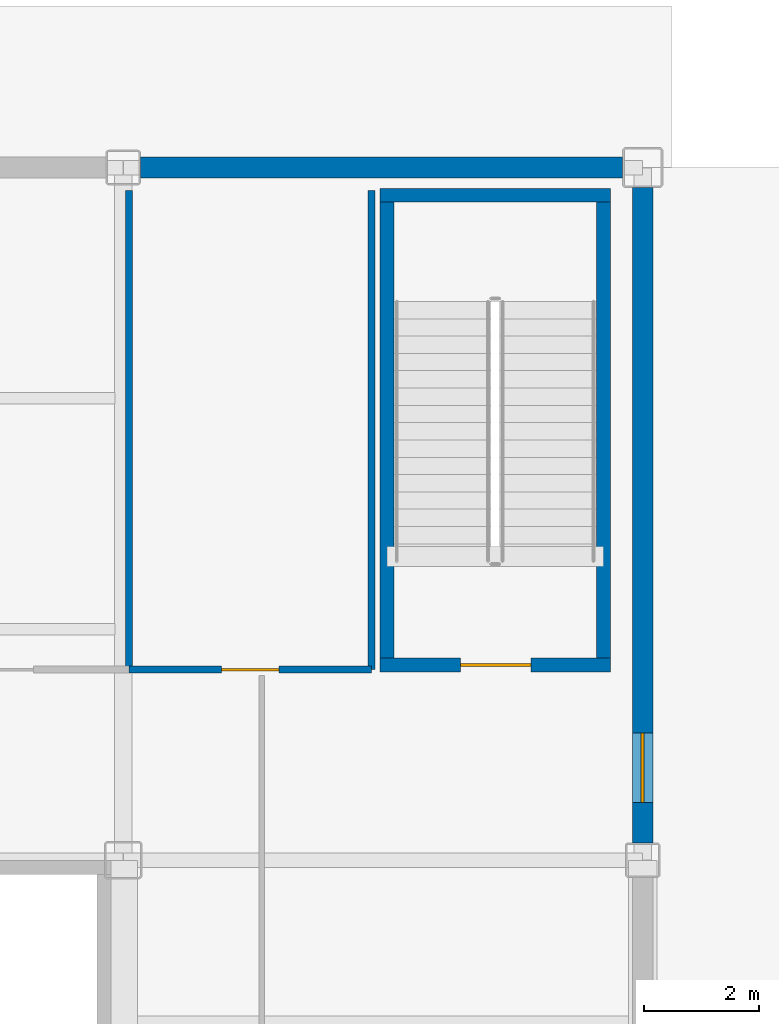
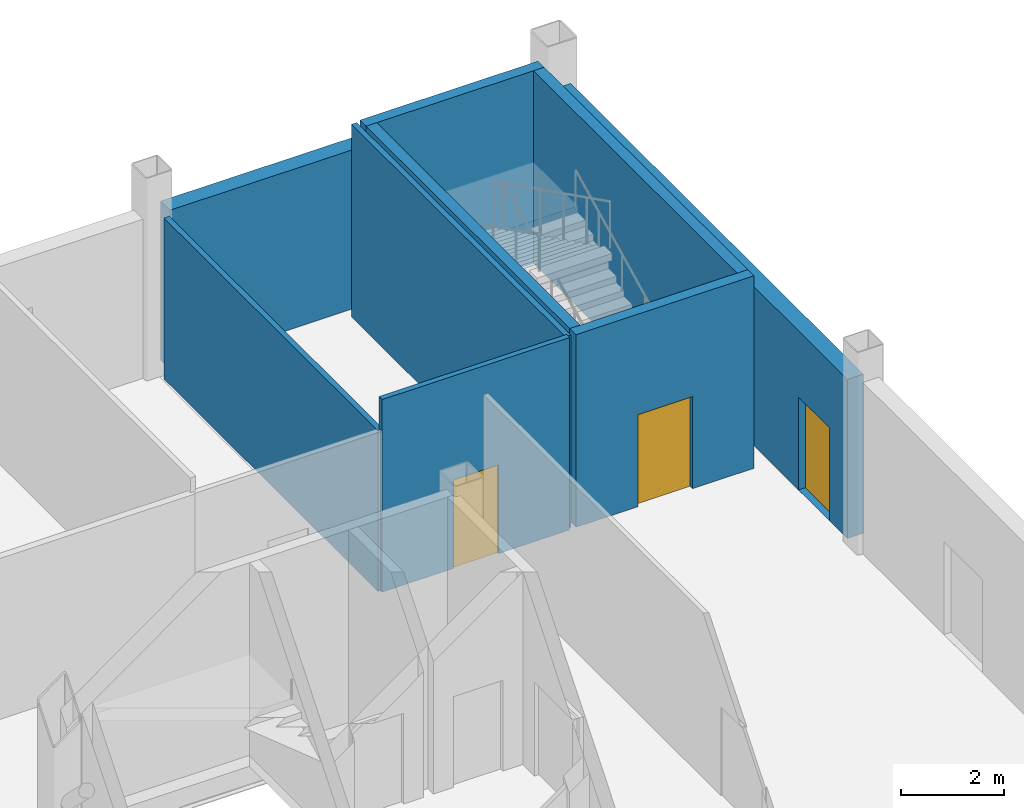
# One storey, part 60 of 82: 9 walls, 3 doors, 3 openings.
"""IFC4 building model written with IfcOpenShell, lengths in metres."""

from ifc_helpers import new_model, si_unit, direction, frame, frame_2d, origin, place, context, subcontext, project, spatial, rectangle, extrude, material, layer, layer_set, type_object, element, fill, save


model = new_model("IFC4")

# Units and contexts
model_context = context("Model", 3, precision=1e-05, world=origin(), true_north=direction((0.0, 1.0)))
body_context = subcontext(model_context, "Body", "Model", "MODEL_VIEW")
ifc_project = project(units=[si_unit("LENGTHUNIT", "METRE"), si_unit("AREAUNIT", "SQUARE_METRE"), si_unit("VOLUMEUNIT", "CUBIC_METRE"), si_unit("PLANEANGLEUNIT", "RADIAN"), si_unit("MASSUNIT", "GRAM", prefix="KILO")], contexts=[model_context])

# Site, building, storey
site_placement = place(None, origin())
site = spatial("IfcSite", under=ifc_project, at=site_placement, CompositionType="ELEMENT")
building_placement = place(site_placement, origin())
building = spatial("IfcBuilding", under=site, at=building_placement, Name="Yukiwa Park Conservatory and Herbarium", CompositionType="ELEMENT")
storey_placement = place(building_placement, origin())
storey = spatial("IfcBuildingStorey", under=building, at=storey_placement, Name="L00", CompositionType="ELEMENT", Elevation=0.0)

# Wall, opening, door
ifc_material_1 = material(Name="Concrete C50", Category="concrete")
ifc_layer_1 = layer(ifc_material_1, 0.239990234375)
ifc_layer_set_1 = layer_set([ifc_layer_1], Name="Concrete C50")
wall_type_1 = type_object("IfcWallType", Name="WL-CORE-RC240", PredefinedType="SHEAR", material=ifc_layer_set_1)
wall_1_placement = place(storey_placement, frame((163.449951171875, 106.580078125, 0.0), z_axis=(0.0, 0.0, 1.0), x_axis=(1.0, 0.0, 0.0)))
wall_1 = element("IfcWall", 1, at=wall_1_placement, inside=storey, type_object=wall_type_1, Name="L00 core shear wall 101", PredefinedType="SHEAR", context=body_context, shape_type="SweptSolid", body=[
    extrude(rectangle(XDim=3.989990234375, YDim=0.239990234375, at=frame_2d((1.9951171875, 0.0))), origin(), (0.0, 0.0, 1.0), 4.56005859375),
])
opening_1_placement = place(wall_1_placement, frame((1.39501953125, 0.0, 0.0)))
opening_1 = element("IfcOpeningElement", 2, at=opening_1_placement, cuts=wall_1, Name="Opening SD-01", PredefinedType="OPENING", context=body_context, shape_type="SweptSolid", body=[
    extrude(rectangle(XDim=1.219970703125, YDim=2.179931640625, at=frame_2d((0.60986328125, 1.08984375))), frame((0.0, 0.1298828125, 0.0), z_axis=(0.0, -1.0, 0.0), x_axis=(1.0, 0.0, 0.0)), (0.0, 0.0, 1.0), 0.260009765625),
])
ifc_material_2 = material(Name="Steel Q235B", Category="steel")
door_type_1 = type_object("IfcDoorType", Name="DR-STAIR-FD90-1200", OperationType="SINGLE_SWING_LEFT", PredefinedType="DOOR", material=ifc_material_2)
door_1_placement = place(opening_1_placement, origin())
door_1 = element("IfcDoor", 3, at=door_1_placement, inside=storey, type_object=door_type_1, Name="L00 Stairwell ST-T3 fire door", OperationType="SINGLE_SWING_LEFT", OverallHeight=2.179931640625, OverallWidth=1.219970703125, PredefinedType="DOOR", context=body_context, shape_type="SweptSolid", body=[
    extrude(rectangle(XDim=1.219970703125, YDim=2.179931640625, at=frame_2d((0.60986328125, 1.08984375))), frame((0.0, 0.02490234375, 0.0), z_axis=(0.0, -1.0, 0.0), x_axis=(1.0, 0.0, 0.0)), (0.0, 0.0, 1.0), 0.050048828125),
])
fill(opening_1, door_1)

# Walls
wall_2_placement = place(storey_placement, frame((163.449951171875, 114.719970703125, 0.0), z_axis=(0.0, 0.0, 1.0), x_axis=(1.0, 0.0, 0.0)))
element("IfcWall", 4, at=wall_2_placement, inside=storey, type_object=wall_type_1, Name="L00 core shear wall 102", PredefinedType="SHEAR", context=body_context, shape_type="SweptSolid", body=[
    extrude(rectangle(XDim=3.989990234375, YDim=0.239990234375, at=frame_2d((1.9951171875, 0.0))), origin(), (0.0, 0.0, 1.0), 4.56005859375),
])
for number, where, z_axis, x_axis, name in (
    (5, (163.570068359375, 106.699951171875, 0.0), (0.0, 0.0, 1.0), (0.0, 1.0, 0.0), "L00 core shear wall 103"),
    (6, (167.320068359375, 106.699951171875, 0.0), (0.0, 0.0, 1.0), (0.0, 1.0, 0.0), "L00 core shear wall 104"),
):
    element("IfcWall", number, at=place(storey_placement, frame(where, z_axis=z_axis, x_axis=x_axis)), inside=storey, type_object=wall_type_1, Name=name, PredefinedType="SHEAR", context=body_context, shape_type="SweptSolid", body=[
        extrude(rectangle(XDim=7.900146484375, YDim=0.239990234375, at=frame_2d((3.9501953125, 0.0))), origin(), (0.0, 0.0, 1.0), 4.56005859375),
    ])

# Wall, opening, door
ifc_material_3 = material(Name="Pale Granite Cladding", Category="masonry")
ifc_layer_2 = layer(ifc_material_3, 0.360107421875)
ifc_layer_set_2 = layer_set([ifc_layer_2], Name="Pale Granite Cladding")
wall_type_2 = type_object("IfcWallType", Name="WL-EXT-PLINTH-360", PredefinedType="SOLIDWALL", material=ifc_layer_set_2)
wall_3_placement = place(storey_placement, frame((168.0, 103.5, 0.0), z_axis=(0.0, 0.0, 1.0), x_axis=(0.0, 1.0, 0.0)))
wall_3 = element("IfcWall", 7, at=wall_3_placement, inside=storey, type_object=wall_type_2, Name="L00 exterior envelope wall 110", PredefinedType="SOLIDWALL", context=body_context, shape_type="SweptSolid", body=[
    extrude(rectangle(XDim=11.35009765625, YDim=0.360107421875, at=frame_2d((5.675048828125, 0.0))), origin(), (0.0, 0.0, 1.0), 3.76806640625),
])
opening_2_placement = place(wall_3_placement, frame((0.699951171875, 0.0, 0.0)))
opening_2 = element("IfcOpeningElement", 8, at=opening_2_placement, cuts=wall_3, Name="Opening EX-D4", PredefinedType="OPENING", context=body_context, shape_type="SweptSolid", body=[
    extrude(rectangle(XDim=1.199951171875, YDim=2.199951171875, at=frame_2d((0.60009765625, 1.10009765625))), frame((0.0, 0.18994140625, 0.0), z_axis=(0.0, -1.0, 0.0), x_axis=(1.0, 0.0, 0.0)), (0.0, 0.0, 1.0), 0.380126953125),
])
ifc_material_4 = material(Name="Steel Q235B", Category="steel")
door_type_2 = type_object("IfcDoorType", Name="DR-EXT-1200X2200", OperationType="SINGLE_SWING_LEFT", PredefinedType="DOOR", material=ifc_material_4)
door_2_placement = place(opening_2_placement, frame((1.199951171875, 0.0, 0.0), z_axis=(0.0, 0.0, 1.0), x_axis=(-1.0, 0.0, 0.0)))
door_2 = element("IfcDoor", 9, at=door_2_placement, inside=storey, type_object=door_type_2, Name="Tower NE Corridor direct street exit EX-23", OperationType="SINGLE_SWING_LEFT", OverallHeight=2.199951171875, OverallWidth=1.199951171875, PredefinedType="DOOR", context=body_context, shape_type="SweptSolid", body=[
    extrude(rectangle(XDim=1.199951171875, YDim=2.199951171875, at=frame_2d((0.60009765625, 1.10009765625))), frame((0.0, 0.02490234375, 0.0), z_axis=(0.0, -1.0, 0.0), x_axis=(1.0, 0.0, 0.0)), (0.0, 0.0, 1.0), 0.050048828125),
])
fill(opening_2, door_2)

# Wall
wall_4_placement = place(storey_placement, frame((167.64990234375, 115.199951171875, 0.0), z_axis=(0.0, 0.0, 1.0), x_axis=(-1.0, 0.0, 0.0)))
element("IfcWall", 10, at=wall_4_placement, inside=storey, type_object=wall_type_2, Name="L00 exterior envelope wall 111", PredefinedType="SOLIDWALL", context=body_context, shape_type="SweptSolid", body=[
    extrude(rectangle(XDim=8.349853515625, YDim=0.360107421875, at=frame_2d((4.1748046875, 0.0))), origin(), (0.0, 0.0, 1.0), 3.76806640625),
])

# Wall, opening, door
ifc_material_5 = material(Name="Gypsum Board Partition", Category="gypsum")
ifc_layer_3 = layer(ifc_material_5, 0.1201171875)
ifc_layer_set_3 = layer_set([ifc_layer_3], Name="Gypsum Board Partition")
wall_type_3 = type_object("IfcWallType", Name="WL-PART-WET-150", PredefinedType="PARTITIONING", material=ifc_layer_set_3)
wall_5_placement = place(storey_placement, frame((159.10009765625, 106.5, 0.0), z_axis=(0.0, 0.0, 1.0), x_axis=(1.0, 0.0, 0.0)))
wall_5 = element("IfcWall", 11, at=wall_5_placement, inside=storey, type_object=wall_type_3, Name="L00 interior partition wall 160", PredefinedType="PARTITIONING", context=body_context, shape_type="SweptSolid", body=[
    extrude(rectangle(XDim=4.199951171875, YDim=0.1201171875, at=frame_2d((2.10009765625, 0.0))), origin(), (0.0, 0.0, 1.0), 4.56005859375),
])
opening_3_placement = place(wall_5_placement, frame((1.60009765625, 0.0, 0.0)))
opening_3 = element("IfcOpeningElement", 12, at=opening_3_placement, cuts=wall_5, Name="Opening ID-10", PredefinedType="OPENING", context=body_context, shape_type="SweptSolid", body=[
    extrude(rectangle(XDim=1.0, YDim=2.10009765625, at=frame_2d((0.5, 1.050048828125))), frame((0.0, 0.070068359375, 0.0), z_axis=(0.0, -1.0, 0.0), x_axis=(1.0, 0.0, 0.0)), (0.0, 0.0, 1.0), 0.14013671875),
])
ifc_material_6 = material(Name="Charred Larch Cladding", Category="wood")
door_type_3 = type_object("IfcDoorType", Name="DR-ACC-1000", OperationType="SINGLE_SWING_LEFT", PredefinedType="DOOR", material=ifc_material_6)
door_3_placement = place(opening_3_placement, origin())
door_3 = element("IfcDoor", 13, at=door_3_placement, inside=storey, type_object=door_type_3, Name="L00 Accessible WC door", OperationType="SINGLE_SWING_LEFT", OverallHeight=2.10009765625, OverallWidth=1.0, PredefinedType="DOOR", context=body_context, shape_type="SweptSolid", body=[
    extrude(rectangle(XDim=1.0, YDim=2.10009765625, at=frame_2d((0.5, 1.050048828125))), frame((0.0, 0.02490234375, 0.0), z_axis=(0.0, -1.0, 0.0), x_axis=(1.0, 0.0, 0.0)), (0.0, 0.0, 1.0), 0.050048828125),
])
fill(opening_3, door_3)

# Walls
wall_6_placement = place(storey_placement, frame((159.10009765625, 106.5, 0.0), z_axis=(0.0, 0.0, 1.0), x_axis=(0.0, 1.0, 0.0)))
element("IfcWall", 14, at=wall_6_placement, inside=storey, type_object=wall_type_3, Name="L00 interior partition wall 162", PredefinedType="PARTITIONING", context=body_context, shape_type="SweptSolid", body=[
    extrude(rectangle(XDim=8.300048828125, YDim=0.1201171875, at=frame_2d((4.14990234375, 0.0))), origin(), (0.0, 0.0, 1.0), 3.81005859375),
])
wall_7_placement = place(storey_placement, frame((163.300048828125, 106.5, 0.0), z_axis=(0.0, 0.0, 1.0), x_axis=(0.0, 1.0, 0.0)))
element("IfcWall", 15, at=wall_7_placement, inside=storey, type_object=wall_type_3, Name="L00 interior partition wall 163", PredefinedType="PARTITIONING", context=body_context, shape_type="SweptSolid", body=[
    extrude(rectangle(XDim=8.300048828125, YDim=0.1201171875, at=frame_2d((4.14990234375, 0.0))), origin(), (0.0, 0.0, 1.0), 4.56005859375),
])

save(model, "model.ifc")
